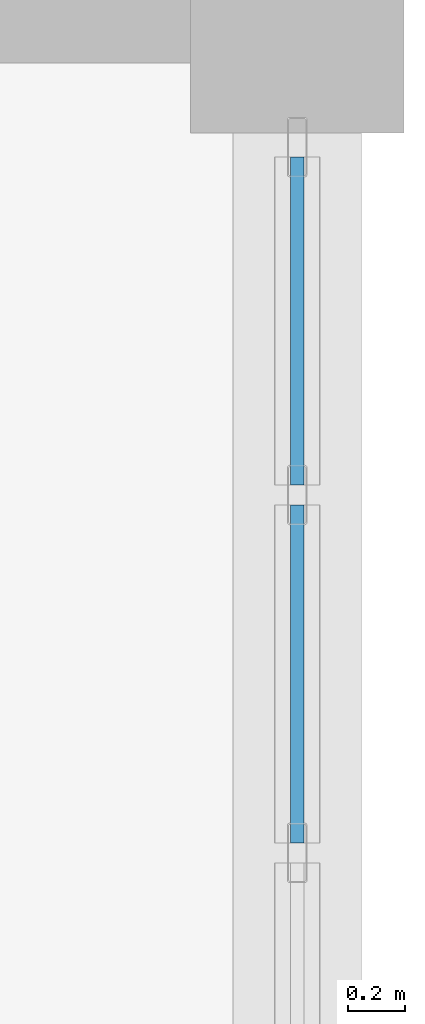
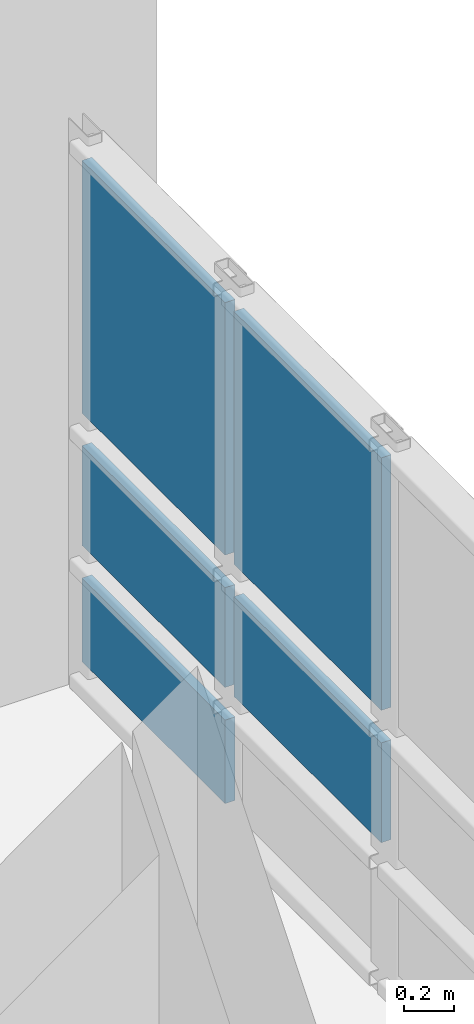
# One storey, part 167 of 188: 5 plates, 1 element without a shape of its own.
"""IFC4 building model written with IfcOpenShell, lengths in metres."""

import ifcopenshell
import ifcopenshell.guid

model = None  # the IFC model being written
_history = None  # IfcOwnerHistory: only IFC2X3 demands one
_inside = {}  # id of a spatial element -> (the spatial element, [elements in it])
_under = {}  # id of a project, library or spatial element -> (it, [spatial elements below it])
_declared = {}  # id of a project -> (the project, [libraries it declares])
_typed = {}  # id of a type object -> (the type object, [elements of that type])
_made_of = {}  # id of a material, layer set ... -> (it, [elements and type objects made of it])


def new_model(schema):
    """Start an empty IFC model of exactly this schema.

    Asked for "IFC4X3", IfcOpenShell would pick the latest addendum, in which some entities
    have other attributes; the version numbers below select the first issue.
    IFC2X3 requires an IfcOwnerHistory on every rooted entity: one is made here for all.
    """
    global model, _history
    if schema == "IFC4X3":
        model = ifcopenshell.file(schema_version=(4, 3, 0, 0))
    else:
        model = ifcopenshell.file(schema=schema)
    _inside.clear()
    _under.clear()
    _declared.clear()
    _typed.clear()
    _made_of.clear()
    _history = None
    if model.schema == "IFC2X3":
        org = make("IfcOrganization", Name="unknown")
        user = make(
            "IfcPersonAndOrganization",
            ThePerson=make("IfcPerson", FamilyName="unknown"),
            TheOrganization=org,
        )
        app = make(
            "IfcApplication",
            ApplicationDeveloper=org,
            Version="unknown",
            ApplicationFullName="unknown",
            ApplicationIdentifier="unknown",
        )
        _history = make(
            "IfcOwnerHistory",
            OwningUser=user,
            OwningApplication=app,
            ChangeAction="ADDED",
            CreationDate=0,
        )
    return model


def make(cls, **values):
    """One entity of the class cls with the attributes given. An attribute that is None is left unset."""
    return model.create_entity(
        cls, **{name: value for name, value in values.items() if value is not None}
    )


def rooted(cls, **values):
    """An entity with a GlobalId (a new one), such as an element, a storey or a relation."""
    return make(cls, GlobalId=ifcopenshell.guid.new(), OwnerHistory=_history, **values)


def si_unit(unit_type, name, prefix=None):
    """IfcSIUnit, for example si_unit("LENGTHUNIT", "METRE", prefix="MILLI")."""
    return make("IfcSIUnit", UnitType=unit_type, Prefix=prefix, Name=name)


def assignment(units):
    """IfcUnitAssignment: the units of a project."""
    return None if units is None else make("IfcUnitAssignment", Units=units)


def point(xyz):
    """IfcCartesianPoint."""
    return None if xyz is None else make("IfcCartesianPoint", Coordinates=xyz)


def direction(xyz):
    """IfcDirection."""
    return None if xyz is None else make("IfcDirection", DirectionRatios=xyz)


def frame(location, z_axis=None, x_axis=None):
    """IfcAxis2Placement3D, a coordinate frame: its origin and axes. An axis left out is left unset."""
    return make(
        "IfcAxis2Placement3D",
        Location=point(location),
        Axis=direction(z_axis),
        RefDirection=direction(x_axis),
    )


def frame_2d(location, x_axis=None):
    """IfcAxis2Placement2D, a coordinate frame in the plane: its origin and x axis."""
    return make(
        "IfcAxis2Placement2D", Location=point(location), RefDirection=direction(x_axis)
    )


def origin():
    """The frame at (0, 0, 0) with its axes left unset."""
    return frame((0.0, 0.0, 0.0))


def origin_2d():
    """The frame at (0, 0) in the plane with its x axis left unset."""
    return frame_2d((0.0, 0.0))


def place(relative_to, where):
    """IfcLocalPlacement: puts the frame where relative to a parent placement (None: the world)."""
    return make(
        "IfcLocalPlacement", PlacementRelTo=relative_to, RelativePlacement=where
    )


def context(
    kind, dimensions, precision=None, world=None, true_north=None, identifier=None
):
    """IfcGeometricRepresentationContext, for example the 3D "Model" context."""
    return make(
        "IfcGeometricRepresentationContext",
        ContextIdentifier=identifier,
        ContextType=kind,
        CoordinateSpaceDimension=dimensions,
        Precision=precision,
        WorldCoordinateSystem=world,
        TrueNorth=true_north,
    )


def subcontext(parent, identifier, kind, view, scale=None):
    """IfcGeometricRepresentationSubContext, for example "Body" below "Model"."""
    return make(
        "IfcGeometricRepresentationSubContext",
        ContextIdentifier=identifier,
        ContextType=kind,
        ParentContext=parent,
        TargetScale=scale,
        TargetView=view,
    )


def project(units=None, contexts=None):
    """IfcProject with its units and contexts."""
    return rooted(
        "IfcProject",
        Name="project",
        RepresentationContexts=contexts,
        UnitsInContext=assignment(units),
    )


def spatial(cls, under=None, at=None, **own):
    """A site, building, storey or space (cls), placed at a placement, below another one or the project."""
    s = rooted(cls, ObjectPlacement=at, **own)
    if under is not None:
        _under.setdefault(under.id(), (under, []))[1].append(s)
    return s


def profile(cls, at=None, kind="AREA", **sizes):
    """A parametric profile (cls). Its sizes go by their IFC names, for example OverallWidth=200.0."""
    return make(cls, ProfileType=kind, Position=at, **sizes)


def rectangle(**sizes):
    """IfcRectangleProfileDef."""
    return profile("IfcRectangleProfileDef", **sizes)


def extrude(swept, where, along, depth):
    """IfcExtrudedAreaSolid: the profile swept, set in the frame where, extruded along a direction by depth."""
    return make(
        "IfcExtrudedAreaSolid",
        SweptArea=swept,
        Position=where,
        ExtrudedDirection=direction(along),
        Depth=depth,
    )


def shape(context_of_items, identifier, shape_type, items):
    """IfcShapeRepresentation: the items that make up one representation, for example the "Body"."""
    return make(
        "IfcShapeRepresentation",
        ContextOfItems=context_of_items,
        RepresentationIdentifier=identifier,
        RepresentationType=shape_type,
        Items=items,
    )


def material(Name=None, Category=None):
    """IfcMaterial."""
    return make("IfcMaterial", Name=Name, Category=Category)


def layer(
    of_material, thickness, ventilated=None, Name=None, Category=None, Priority=None
):
    """IfcMaterialLayer: one layer of a wall or slab, of a material (None: an air gap)."""
    return make(
        "IfcMaterialLayer",
        Material=of_material,
        LayerThickness=thickness,
        IsVentilated=ventilated,
        Name=Name,
        Category=Category,
        Priority=Priority,
    )


def layer_set(layers, Name=None):
    """IfcMaterialLayerSet."""
    return make("IfcMaterialLayerSet", MaterialLayers=layers, LayerSetName=Name)


def made_of(thing, what):
    """Note that an element or type object is made of a material, layer set ...; save() writes the relation."""
    if what is not None:
        _made_of.setdefault(what.id(), (what, []))[1].append(thing)
    return thing


def type_object(cls, material=None, **own):
    """A type object (cls), such as IfcWallType, which elements share."""
    return made_of(rooted(cls, **own), material)


def element(
    cls,
    number,
    at=None,
    inside=None,
    cuts=None,
    type_object=None,
    material=None,
    context=None,
    identifier="Body",
    shape_type=None,
    held_by="IfcProductDefinitionShape",
    body=None,
    shapes=None,
    **own,
):
    """One element of the class cls, such as IfcWall. Its Tag is "e" and its number.

    at: its placement. inside: the storey or other place that contains it. cuts: it is an
    opening in that element (IfcRelVoidsElement). A single representation is given by context,
    identifier, shape_type and body (its items); several are given by shapes. held_by: the class
    of the entity that holds the representations. save() writes the other relations.
    """
    e = rooted(cls, Tag="e%d" % number, ObjectPlacement=at, **own)
    if body is not None:
        shapes = [shape(context, identifier, shape_type, body)]
    if shapes is not None:
        e.Representation = make(held_by, Representations=shapes)
    if inside is not None:
        _inside.setdefault(inside.id(), (inside, []))[1].append(e)
    if cuts is not None:
        rooted(
            "IfcRelVoidsElement", RelatingBuildingElement=cuts, RelatedOpeningElement=e
        )
    if type_object is not None:
        _typed.setdefault(type_object.id(), (type_object, []))[1].append(e)
    return made_of(e, material)


def aggregate(whole, parts):
    """IfcRelAggregates: a whole, such as a stair, and the parts it consists of."""
    return rooted("IfcRelAggregates", RelatingObject=whole, RelatedObjects=parts)


def save(model, path):
    """Write the relations noted so far, then the file.

    IfcRelAggregates (storeys below a building ...), IfcRelContainedInSpatialStructure (elements
    in a storey), IfcRelDefinesByType, IfcRelAssociatesMaterial and IfcRelDeclares: one each for
    every whole, place, type object, material and project.
    """
    for whole, parts in _under.values():
        aggregate(whole, parts)
    for where, things in _inside.values():
        rooted(
            "IfcRelContainedInSpatialStructure",
            RelatedElements=things,
            RelatingStructure=where,
        )
    for kind, things in _typed.values():
        rooted("IfcRelDefinesByType", RelatedObjects=things, RelatingType=kind)
    for what, things in _made_of.values():
        rooted("IfcRelAssociatesMaterial", RelatedObjects=things, RelatingMaterial=what)
    for by, libraries in _declared.values():
        rooted("IfcRelDeclares", RelatingContext=by, RelatedDefinitions=libraries)
    model.write(path)


model = new_model("IFC4")

# Units and contexts
model_context = context("Model", 3, precision=1e-05, world=origin(), true_north=direction((0.0, 1.0)))
body_context = subcontext(model_context, "Body", "Model", "MODEL_VIEW")
ifc_project = project(units=[si_unit("LENGTHUNIT", "METRE"), si_unit("AREAUNIT", "SQUARE_METRE"), si_unit("VOLUMEUNIT", "CUBIC_METRE"), si_unit("PLANEANGLEUNIT", "RADIAN"), si_unit("MASSUNIT", "GRAM", prefix="KILO")], contexts=[model_context])

# Site, building, storey
site_placement = place(None, origin())
site = spatial("IfcSite", under=ifc_project, at=site_placement, CompositionType="ELEMENT")
building_placement = place(site_placement, origin())
building = spatial("IfcBuilding", under=site, at=building_placement, Name="Kisaragi Civic Commons", CompositionType="ELEMENT")
storey_placement = place(building_placement, frame((0.0, 0.0, 9.60009765625)))
storey = spatial("IfcBuildingStorey", under=building, at=storey_placement, Name="L02", CompositionType="ELEMENT", Elevation=9.60009765625)

# Curtain wall, plates
ifc_material = material(Name="Thermally broken anodized aluminium and low-E double glazing", Category="aluminium")
ifc_layer_1 = layer(ifc_material, 0.2099609375, Name="Thermally broken anodized aluminium and low-E double glazing", Category="aluminium")
ifc_layer_set_1 = layer_set([ifc_layer_1], Name="Thermally broken anodized aluminium and low-E double glazing")
curtain_wall_type = type_object("IfcCurtainWallType", Name="CW-02", PredefinedType="NOTDEFINED", material=ifc_layer_set_1)
curtain_wall_placement = place(storey_placement, origin())
curtain_wall = element("IfcCurtainWall", 1, at=curtain_wall_placement, inside=storey, type_object=curtain_wall_type, Name="L02 curtain wall CW-02 CW-V3-L02-039", PredefinedType="NOTDEFINED")
ifc_layer_2 = layer(ifc_material, 0.0458984375, Name="Thermally broken anodized aluminium and low-E double glazing", Category="aluminium")
ifc_layer_set_2 = layer_set([ifc_layer_2], Name="Thermally broken anodized aluminium and low-E double glazing")
plate_type = type_object("IfcPlateType", Name="CWP-13", PredefinedType="CURTAIN_PANEL", material=ifc_layer_set_2)
plate_1_placement = place(storey_placement, frame((172.800048828125, 7.3642578125, 0.16015625), z_axis=(0.0, 0.0, 1.0), x_axis=(0.0, -1.0, 0.0)))
plate_1 = element("IfcPlate", 2, at=plate_1_placement, type_object=plate_type, Name="CW-02 panel 1.1", PredefinedType="CURTAIN_PANEL", context=body_context, shape_type="SweptSolid", body=[
    extrude(rectangle(XDim=1.151611328125, YDim=0.0458984375, at=origin_2d()), origin(), (0.0, 0.0, 1.0), 0.409912109375),
])
plate_2_placement = place(storey_placement, frame((172.800048828125, 7.3642578125, 0.72998046875), z_axis=(0.0, 0.0, 1.0), x_axis=(0.0, -1.0, 0.0)))
plate_2 = element("IfcPlate", 3, at=plate_2_placement, type_object=plate_type, Name="CW-02 panel 1.2", PredefinedType="CURTAIN_PANEL", context=body_context, shape_type="SweptSolid", body=[
    extrude(rectangle(XDim=1.151611328125, YDim=0.0458984375, at=origin_2d()), origin(), (0.0, 0.0, 1.0), 0.489990234375),
])
plate_3_placement = place(storey_placement, frame((172.800048828125, 7.3642578125, 1.3798828125), z_axis=(0.0, 0.0, 1.0), x_axis=(0.0, -1.0, 0.0)))
plate_3 = element("IfcPlate", 4, at=plate_3_placement, type_object=plate_type, Name="CW-02 panel 1.3", PredefinedType="CURTAIN_PANEL", context=body_context, shape_type="SweptSolid", body=[
    extrude(rectangle(XDim=1.151611328125, YDim=0.0458984375, at=origin_2d()), origin(), (0.0, 0.0, 1.0), 1.239990234375),
])
plate_4_placement = place(storey_placement, frame((172.800048828125, 6.125, 0.72998046875), z_axis=(0.0, 0.0, 1.0), x_axis=(0.0, -1.0, 0.0)))
plate_4 = element("IfcPlate", 5, at=plate_4_placement, type_object=plate_type, Name="CW-02 panel 2.2", PredefinedType="CURTAIN_PANEL", context=body_context, shape_type="SweptSolid", body=[
    extrude(rectangle(XDim=1.186767578125, YDim=0.0458984375, at=origin_2d()), origin(), (0.0, 0.0, 1.0), 0.489990234375),
])
plate_5_placement = place(storey_placement, frame((172.800048828125, 6.125, 1.3798828125), z_axis=(0.0, 0.0, 1.0), x_axis=(0.0, -1.0, 0.0)))
plate_5 = element("IfcPlate", 6, at=plate_5_placement, type_object=plate_type, Name="CW-02 panel 2.3", PredefinedType="CURTAIN_PANEL", context=body_context, shape_type="SweptSolid", body=[
    extrude(rectangle(XDim=1.186767578125, YDim=0.0458984375, at=origin_2d()), origin(), (0.0, 0.0, 1.0), 1.239990234375),
])
aggregate(curtain_wall, [plate_1, plate_2, plate_3, plate_4, plate_5])

save(model, "model.ifc")
